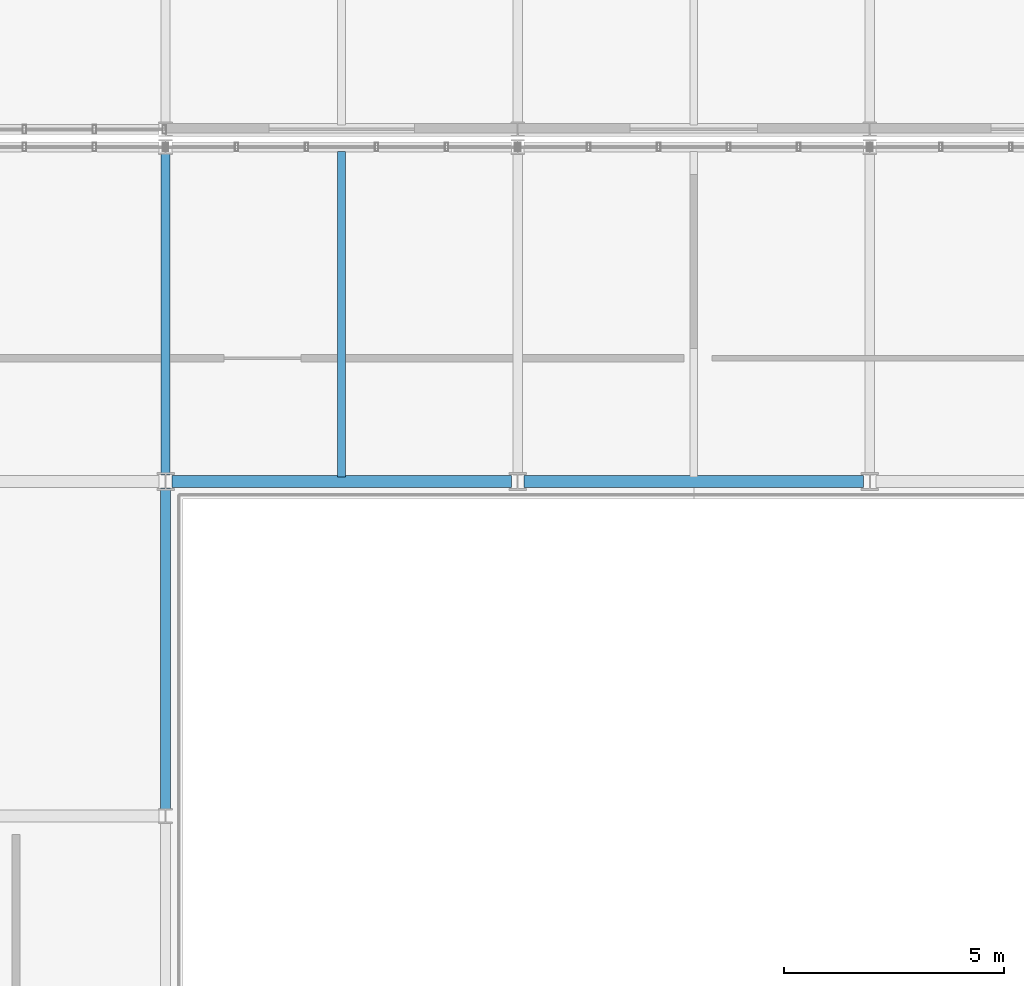
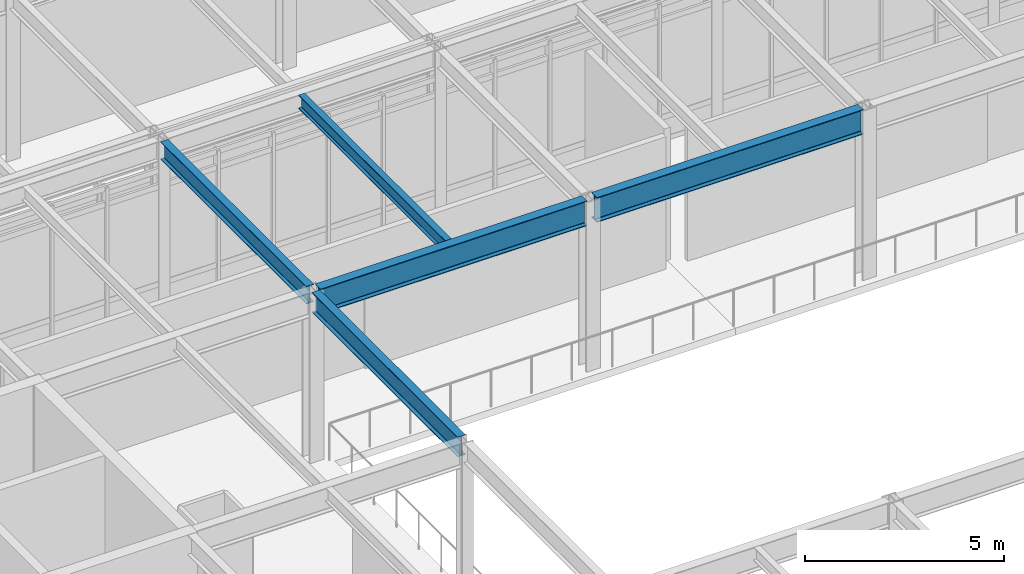
# One storey, part 43 of 94: 5 beams.
"""IFC4 building model written with IfcOpenShell, lengths in metres."""

from ifc_helpers import new_model, si_unit, direction, frame, origin, origin_2d, place, context, subcontext, project, spatial, i_section, extrude, material, material_profile, profile_set, type_object, element, save


model = new_model("IFC4")

# Units and contexts
model_context = context("Model", 3, precision=1e-05, world=origin(), true_north=direction((0.0, 1.0)))
body_context = subcontext(model_context, "Body", "Model", "MODEL_VIEW")
ifc_project = project(units=[si_unit("LENGTHUNIT", "METRE"), si_unit("AREAUNIT", "SQUARE_METRE"), si_unit("VOLUMEUNIT", "CUBIC_METRE"), si_unit("PLANEANGLEUNIT", "RADIAN"), si_unit("MASSUNIT", "GRAM", prefix="KILO")], contexts=[model_context])

# Site, building, storey
site_placement = place(None, origin())
site = spatial("IfcSite", under=ifc_project, at=site_placement, CompositionType="ELEMENT")
building_placement = place(site_placement, origin())
building = spatial("IfcBuilding", under=site, at=building_placement, Name="Zulena Civic Courthouse", CompositionType="ELEMENT")
storey_placement = place(building_placement, frame((0.0, 0.0, 5.39990234375)))
storey = spatial("IfcBuildingStorey", under=building, at=storey_placement, Name="L01", CompositionType="ELEMENT", Elevation=5.39990234375)

# Beams
ifc_material = material(Name="Steel ASTM A992 Grade 50", Category="steel")
ifc_material_profile_1 = material_profile(ifc_material, i_section(OverallWidth=0.22802734375, OverallDepth=0.60693359375, WebThickness=0.01123046875, FlangeThickness=0.017333984375, FilletRadius=0.0126953125, at=origin_2d()), Name="W24X76")
ifc_profile_set_1 = profile_set([ifc_material_profile_1], Name="Steel ASTM A992 Grade 50")
beam_type_1 = type_object("IfcBeamType", Name="Girder_W24X76", PredefinedType="BEAM", material=ifc_profile_set_1)
beam_1_placement = place(storey_placement, frame((84.0, 30.544921875, 4.881591796875), z_axis=(0.0, 1.0, 0.0), x_axis=(-1.0, 0.0, 0.0)))
element("IfcBeam", 1, at=beam_1_placement, inside=storey, type_object=beam_type_1, Name="beam:Y:V4:L01:84.0:30.4_38.0", PredefinedType="BEAM", context=body_context, shape_type="SweptSolid", body=[
    extrude(i_section(OverallWidth=0.22802734375, OverallDepth=0.60693359375, WebThickness=0.01123046875, FlangeThickness=0.017333984375, FilletRadius=0.0126953125, at=origin_2d()), origin(), (0.0, 0.0, 1.0), 7.31005859375),
])
ifc_material_profile_2 = material_profile(ifc_material, i_section(OverallWidth=0.26708984375, OverallDepth=0.761962890625, WebThickness=0.014404296875, FlangeThickness=0.021484375, FilletRadius=0.0166015625, at=origin_2d()), Name="W30X116")
ifc_profile_set_2 = profile_set([ifc_material_profile_2], Name="Steel ASTM A992 Grade 50")
beam_type_2 = type_object("IfcBeamType", Name="Girder_W30X116", PredefinedType="BEAM", material=ifc_profile_set_2)
for number, where, z_axis, x_axis, name in (
    (2, (84.14501953125, 38.0, 4.80419921875), (1.0, 0.0, 0.0), (0.0, 1.0, 0.0), "beam:X:V4:L01:38.0:84.0_92.0"),
    (3, (92.14501953125, 38.0, 4.80419921875), (1.0, 0.0, 0.0), (0.0, 1.0, 0.0), "beam:X:V4:L01:38.0:92.0_100.0"),
):
    element("IfcBeam", number, at=place(storey_placement, frame(where, z_axis=z_axis, x_axis=x_axis)), inside=storey, type_object=beam_type_2, Name=name, PredefinedType="BEAM", context=body_context, shape_type="SweptSolid", body=[
        extrude(i_section(OverallWidth=0.26708984375, OverallDepth=0.761962890625, WebThickness=0.014404296875, FlangeThickness=0.021484375, FilletRadius=0.0166015625, at=origin_2d()), origin(), (0.0, 0.0, 1.0), 7.7099609375),
    ])
ifc_material_profile_3 = material_profile(ifc_material, i_section(OverallWidth=0.180908203125, OverallDepth=0.4169921875, WebThickness=0.010986328125, FlangeThickness=0.018310546875, FilletRadius=0.01025390625, at=origin_2d()), Name="W16X57")
ifc_profile_set_3 = profile_set([ifc_material_profile_3], Name="Steel ASTM A992 Grade 50")
beam_type_3 = type_object("IfcBeamType", Name="Joist_W16X57", PredefinedType="JOIST", material=ifc_profile_set_3)
beam_2_placement = place(storey_placement, frame((88.0, 38.10498046875, 4.9765625), z_axis=(0.0, 1.0, 0.0), x_axis=(-1.0, 0.0, 0.0)))
element("IfcBeam", 4, at=beam_2_placement, inside=storey, type_object=beam_type_3, Name="joist:V4:L01:88.00:38.0_45.6", PredefinedType="JOIST", context=body_context, shape_type="SweptSolid", body=[
    extrude(i_section(OverallWidth=0.180908203125, OverallDepth=0.4169921875, WebThickness=0.010986328125, FlangeThickness=0.018310546875, FilletRadius=0.01025390625, at=origin_2d()), origin(), (0.0, 0.0, 1.0), 7.39013671875),
])
ifc_material_profile_4 = material_profile(ifc_material, i_section(OverallWidth=0.2099609375, OverallDepth=0.537109375, WebThickness=0.010986328125, FlangeThickness=0.017333984375, FilletRadius=0.0126953125, at=origin_2d()), Name="W21X68")
ifc_profile_set_4 = profile_set([ifc_material_profile_4], Name="Steel ASTM A992 Grade 50")
beam_type_4 = type_object("IfcBeamType", Name="Spandrel_W21X68", PredefinedType="SPANDREL", material=ifc_profile_set_4)
beam_3_placement = place(storey_placement, frame((84.0, 38.14501953125, 4.91650390625), z_axis=(0.0, 1.0, 0.0), x_axis=(-1.0, 0.0, 0.0)))
element("IfcBeam", 5, at=beam_3_placement, inside=storey, type_object=beam_type_4, Name="beam:Y:V4:L01:84.0:38.0_45.6", PredefinedType="SPANDREL", context=body_context, shape_type="SweptSolid", body=[
    extrude(i_section(OverallWidth=0.2099609375, OverallDepth=0.537109375, WebThickness=0.010986328125, FlangeThickness=0.017333984375, FilletRadius=0.0126953125, at=origin_2d()), origin(), (0.0, 0.0, 1.0), 7.31005859375),
])

save(model, "model.ifc")
